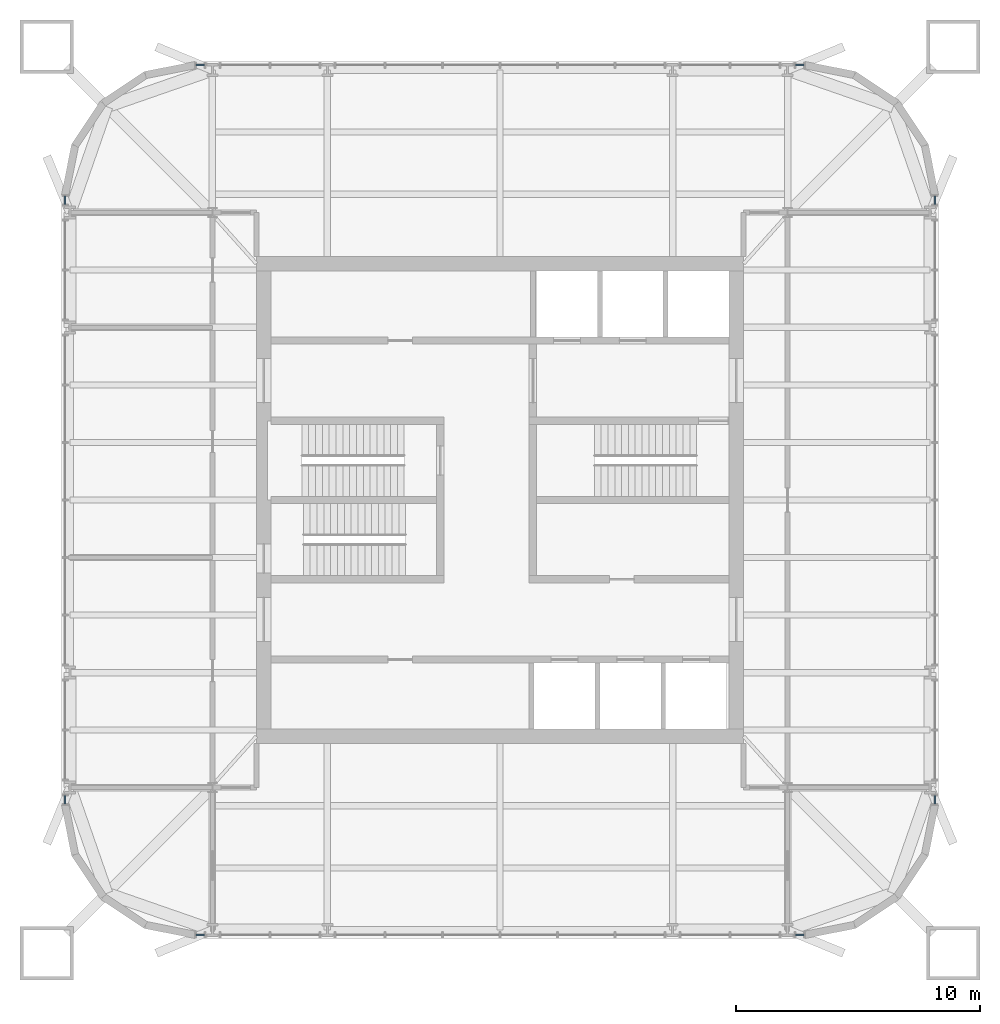
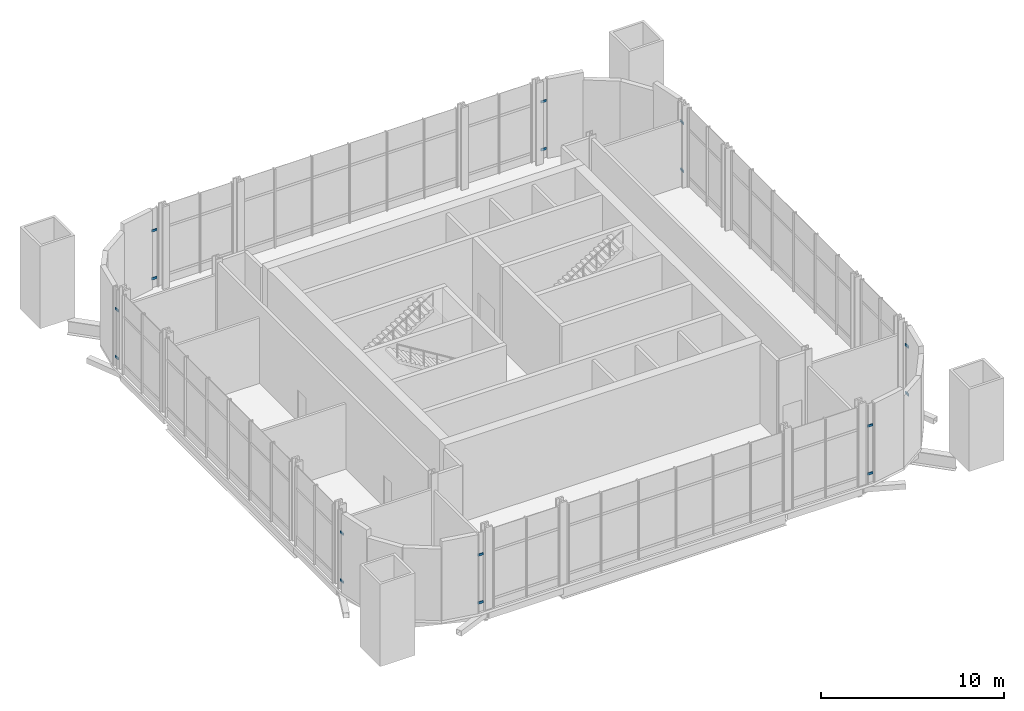
# One storey, part 7 of 17: 16 members, 8 elements without a shape of their own.
"""IFC4 building model written with IfcOpenShell, lengths in metres."""

import ifcopenshell
import ifcopenshell.guid

model = None  # the IFC model being written
_history = None  # IfcOwnerHistory: only IFC2X3 demands one
_inside = {}  # id of a spatial element -> (the spatial element, [elements in it])
_under = {}  # id of a project, library or spatial element -> (it, [spatial elements below it])
_declared = {}  # id of a project -> (the project, [libraries it declares])
_typed = {}  # id of a type object -> (the type object, [elements of that type])
_made_of = {}  # id of a material, layer set ... -> (it, [elements and type objects made of it])


def new_model(schema):
    """Start an empty IFC model of exactly this schema.

    Asked for "IFC4X3", IfcOpenShell would pick the latest addendum, in which some entities
    have other attributes; the version numbers below select the first issue.
    IFC2X3 requires an IfcOwnerHistory on every rooted entity: one is made here for all.
    """
    global model, _history
    if schema == "IFC4X3":
        model = ifcopenshell.file(schema_version=(4, 3, 0, 0))
    else:
        model = ifcopenshell.file(schema=schema)
    _inside.clear()
    _under.clear()
    _declared.clear()
    _typed.clear()
    _made_of.clear()
    _history = None
    if model.schema == "IFC2X3":
        org = make("IfcOrganization", Name="unknown")
        user = make(
            "IfcPersonAndOrganization",
            ThePerson=make("IfcPerson", FamilyName="unknown"),
            TheOrganization=org,
        )
        app = make(
            "IfcApplication",
            ApplicationDeveloper=org,
            Version="unknown",
            ApplicationFullName="unknown",
            ApplicationIdentifier="unknown",
        )
        _history = make(
            "IfcOwnerHistory",
            OwningUser=user,
            OwningApplication=app,
            ChangeAction="ADDED",
            CreationDate=0,
        )
    return model


def make(cls, **values):
    """One entity of the class cls with the attributes given. An attribute that is None is left unset."""
    return model.create_entity(
        cls, **{name: value for name, value in values.items() if value is not None}
    )


def rooted(cls, **values):
    """An entity with a GlobalId (a new one), such as an element, a storey or a relation."""
    return make(cls, GlobalId=ifcopenshell.guid.new(), OwnerHistory=_history, **values)


def si_unit(unit_type, name, prefix=None):
    """IfcSIUnit, for example si_unit("LENGTHUNIT", "METRE", prefix="MILLI")."""
    return make("IfcSIUnit", UnitType=unit_type, Prefix=prefix, Name=name)


def assignment(units):
    """IfcUnitAssignment: the units of a project."""
    return None if units is None else make("IfcUnitAssignment", Units=units)


def point(xyz):
    """IfcCartesianPoint."""
    return None if xyz is None else make("IfcCartesianPoint", Coordinates=xyz)


def direction(xyz):
    """IfcDirection."""
    return None if xyz is None else make("IfcDirection", DirectionRatios=xyz)


def frame(location, z_axis=None, x_axis=None):
    """IfcAxis2Placement3D, a coordinate frame: its origin and axes. An axis left out is left unset."""
    return make(
        "IfcAxis2Placement3D",
        Location=point(location),
        Axis=direction(z_axis),
        RefDirection=direction(x_axis),
    )


def frame_2d(location, x_axis=None):
    """IfcAxis2Placement2D, a coordinate frame in the plane: its origin and x axis."""
    return make(
        "IfcAxis2Placement2D", Location=point(location), RefDirection=direction(x_axis)
    )


def origin():
    """The frame at (0, 0, 0) with its axes left unset."""
    return frame((0.0, 0.0, 0.0))


def origin_2d():
    """The frame at (0, 0) in the plane with its x axis left unset."""
    return frame_2d((0.0, 0.0))


def place(relative_to, where):
    """IfcLocalPlacement: puts the frame where relative to a parent placement (None: the world)."""
    return make(
        "IfcLocalPlacement", PlacementRelTo=relative_to, RelativePlacement=where
    )


def context(
    kind, dimensions, precision=None, world=None, true_north=None, identifier=None
):
    """IfcGeometricRepresentationContext, for example the 3D "Model" context."""
    return make(
        "IfcGeometricRepresentationContext",
        ContextIdentifier=identifier,
        ContextType=kind,
        CoordinateSpaceDimension=dimensions,
        Precision=precision,
        WorldCoordinateSystem=world,
        TrueNorth=true_north,
    )


def subcontext(parent, identifier, kind, view, scale=None):
    """IfcGeometricRepresentationSubContext, for example "Body" below "Model"."""
    return make(
        "IfcGeometricRepresentationSubContext",
        ContextIdentifier=identifier,
        ContextType=kind,
        ParentContext=parent,
        TargetScale=scale,
        TargetView=view,
    )


def project(units=None, contexts=None):
    """IfcProject with its units and contexts."""
    return rooted(
        "IfcProject",
        Name="project",
        RepresentationContexts=contexts,
        UnitsInContext=assignment(units),
    )


def spatial(cls, under=None, at=None, **own):
    """A site, building, storey or space (cls), placed at a placement, below another one or the project."""
    s = rooted(cls, ObjectPlacement=at, **own)
    if under is not None:
        _under.setdefault(under.id(), (under, []))[1].append(s)
    return s


def profile(cls, at=None, kind="AREA", **sizes):
    """A parametric profile (cls). Its sizes go by their IFC names, for example OverallWidth=200.0."""
    return make(cls, ProfileType=kind, Position=at, **sizes)


def rectangle(**sizes):
    """IfcRectangleProfileDef."""
    return profile("IfcRectangleProfileDef", **sizes)


def extrude(swept, where, along, depth):
    """IfcExtrudedAreaSolid: the profile swept, set in the frame where, extruded along a direction by depth."""
    return make(
        "IfcExtrudedAreaSolid",
        SweptArea=swept,
        Position=where,
        ExtrudedDirection=direction(along),
        Depth=depth,
    )


def shape(context_of_items, identifier, shape_type, items):
    """IfcShapeRepresentation: the items that make up one representation, for example the "Body"."""
    return make(
        "IfcShapeRepresentation",
        ContextOfItems=context_of_items,
        RepresentationIdentifier=identifier,
        RepresentationType=shape_type,
        Items=items,
    )


def material(Name=None, Category=None):
    """IfcMaterial."""
    return make("IfcMaterial", Name=Name, Category=Category)


def material_profile(
    of_material, cross_section, Name=None, Category=None, Priority=None
):
    """IfcMaterialProfile: a cross section and its material."""
    return make(
        "IfcMaterialProfile",
        Name=Name,
        Material=of_material,
        Profile=cross_section,
        Priority=Priority,
        Category=Category,
    )


def profile_set(profiles, Name=None, composite=None):
    """IfcMaterialProfileSet."""
    return make(
        "IfcMaterialProfileSet",
        Name=Name,
        MaterialProfiles=profiles,
        CompositeProfile=composite,
    )


def made_of(thing, what):
    """Note that an element or type object is made of a material, layer set ...; save() writes the relation."""
    if what is not None:
        _made_of.setdefault(what.id(), (what, []))[1].append(thing)
    return thing


def type_object(cls, material=None, **own):
    """A type object (cls), such as IfcWallType, which elements share."""
    return made_of(rooted(cls, **own), material)


def element(
    cls,
    number,
    at=None,
    inside=None,
    cuts=None,
    type_object=None,
    material=None,
    context=None,
    identifier="Body",
    shape_type=None,
    held_by="IfcProductDefinitionShape",
    body=None,
    shapes=None,
    **own,
):
    """One element of the class cls, such as IfcWall. Its Tag is "e" and its number.

    at: its placement. inside: the storey or other place that contains it. cuts: it is an
    opening in that element (IfcRelVoidsElement). A single representation is given by context,
    identifier, shape_type and body (its items); several are given by shapes. held_by: the class
    of the entity that holds the representations. save() writes the other relations.
    """
    e = rooted(cls, Tag="e%d" % number, ObjectPlacement=at, **own)
    if body is not None:
        shapes = [shape(context, identifier, shape_type, body)]
    if shapes is not None:
        e.Representation = make(held_by, Representations=shapes)
    if inside is not None:
        _inside.setdefault(inside.id(), (inside, []))[1].append(e)
    if cuts is not None:
        rooted(
            "IfcRelVoidsElement", RelatingBuildingElement=cuts, RelatedOpeningElement=e
        )
    if type_object is not None:
        _typed.setdefault(type_object.id(), (type_object, []))[1].append(e)
    return made_of(e, material)


def aggregate(whole, parts):
    """IfcRelAggregates: a whole, such as a stair, and the parts it consists of."""
    return rooted("IfcRelAggregates", RelatingObject=whole, RelatedObjects=parts)


def save(model, path):
    """Write the relations noted so far, then the file.

    IfcRelAggregates (storeys below a building ...), IfcRelContainedInSpatialStructure (elements
    in a storey), IfcRelDefinesByType, IfcRelAssociatesMaterial and IfcRelDeclares: one each for
    every whole, place, type object, material and project.
    """
    for whole, parts in _under.values():
        aggregate(whole, parts)
    for where, things in _inside.values():
        rooted(
            "IfcRelContainedInSpatialStructure",
            RelatedElements=things,
            RelatingStructure=where,
        )
    for kind, things in _typed.values():
        rooted("IfcRelDefinesByType", RelatedObjects=things, RelatingType=kind)
    for what, things in _made_of.values():
        rooted("IfcRelAssociatesMaterial", RelatedObjects=things, RelatingMaterial=what)
    for by, libraries in _declared.values():
        rooted("IfcRelDeclares", RelatingContext=by, RelatedDefinitions=libraries)
    model.write(path)


model = new_model("IFC4")

# Units and contexts
model_context = context("Model", 3, precision=1e-05, world=origin(), true_north=direction((0.0, 1.0)))
body_context = subcontext(model_context, "Body", "Model", "MODEL_VIEW")
ifc_project = project(units=[si_unit("LENGTHUNIT", "METRE"), si_unit("AREAUNIT", "SQUARE_METRE"), si_unit("VOLUMEUNIT", "CUBIC_METRE"), si_unit("PLANEANGLEUNIT", "RADIAN"), si_unit("MASSUNIT", "GRAM", prefix="KILO")], contexts=[model_context])

# Site, building, storey
site_placement = place(None, origin())
site = spatial("IfcSite", under=ifc_project, at=site_placement, CompositionType="ELEMENT")
building_placement = place(site_placement, origin())
building = spatial("IfcBuilding", under=site, at=building_placement, Name="Turquesa Mirador Hotel Tower", CompositionType="ELEMENT")
storey_placement = place(building_placement, frame((0.0, 0.0, 266.699951171875)))
storey = spatial("IfcBuildingStorey", under=building, at=storey_placement, Name="L72", CompositionType="ELEMENT", Elevation=266.699951171875)

# Curtain wall, members
ifc_material_1 = material(Name="Aluminium extrusion", Category="aluminium")
curtain_wall_type = type_object("IfcCurtainWallType", Name="CW-6 OBSERVATION CURTAIN WALL", PredefinedType="USERDEFINED", material=ifc_material_1)
curtain_wall_1_placement = place(storey_placement, origin())
curtain_wall_1 = element("IfcCurtainWall", 1, at=curtain_wall_1_placement, inside=storey, type_object=curtain_wall_type, Name="CW-6 OBSERVATION CURTAIN WALL L72", ObjectType="CURTAIN WALL", PredefinedType="USERDEFINED")
ifc_material_2 = material(Name="Aluminium extrusion", Category="aluminium")
ifc_material_profile = material_profile(ifc_material_2, rectangle(XDim=0.06494140625, YDim=0.14990234375, at=origin_2d()), Name="TRANSOM 65X150")
ifc_profile_set = profile_set([ifc_material_profile], Name="Aluminium extrusion")
member_type = type_object("IfcMemberType", Name="CW TRANSOM 65X150", PredefinedType="USERDEFINED", material=ifc_profile_set)
member_1_placement = place(storey_placement, frame((72.85009765625, 32.532470703125, 0.60009765625), z_axis=(0.0, 1.0, 0.0), x_axis=(-1.0, 0.0, 0.0)))
member_1 = element("IfcMember", 2, at=member_1_placement, type_object=member_type, Name="Transom", ObjectType="TRANSOM", PredefinedType="USERDEFINED", context=body_context, shape_type="SweptSolid", body=[
    extrude(rectangle(XDim=0.06494140625, YDim=0.14990234375, at=origin_2d()), origin(), (0.0, 0.0, 1.0), 0.335205078125),
])
member_2_placement = place(storey_placement, frame((72.85009765625, 32.532470703125, 3.800048828125), z_axis=(0.0, 1.0, 0.0), x_axis=(-1.0, 0.0, 0.0)))
member_2 = element("IfcMember", 3, at=member_2_placement, type_object=member_type, Name="Transom", ObjectType="TRANSOM", PredefinedType="USERDEFINED", context=body_context, shape_type="SweptSolid", body=[
    extrude(rectangle(XDim=0.06494140625, YDim=0.14990234375, at=origin_2d()), origin(), (0.0, 0.0, 1.0), 0.335205078125),
])
aggregate(curtain_wall_1, [member_1, member_2])

curtain_wall_2_placement = place(storey_placement, origin())
curtain_wall_2 = element("IfcCurtainWall", 4, at=curtain_wall_2_placement, inside=storey, type_object=curtain_wall_type, Name="CW-6 OBSERVATION CURTAIN WALL L72", ObjectType="CURTAIN WALL", PredefinedType="USERDEFINED")
member_3_placement = place(storey_placement, frame((72.85009765625, 57.13232421875, 0.60009765625), z_axis=(0.0, 1.0, 0.0), x_axis=(-1.0, 0.0, 0.0)))
member_3 = element("IfcMember", 5, at=member_3_placement, type_object=member_type, Name="Transom", ObjectType="TRANSOM", PredefinedType="USERDEFINED", context=body_context, shape_type="SweptSolid", body=[
    extrude(rectangle(XDim=0.06494140625, YDim=0.14990234375, at=origin_2d()), origin(), (0.0, 0.0, 1.0), 0.335205078125),
])
member_4_placement = place(storey_placement, frame((72.85009765625, 57.13232421875, 3.800048828125), z_axis=(0.0, 1.0, 0.0), x_axis=(-1.0, 0.0, 0.0)))
member_4 = element("IfcMember", 6, at=member_4_placement, type_object=member_type, Name="Transom", ObjectType="TRANSOM", PredefinedType="USERDEFINED", context=body_context, shape_type="SweptSolid", body=[
    extrude(rectangle(XDim=0.06494140625, YDim=0.14990234375, at=origin_2d()), origin(), (0.0, 0.0, 1.0), 0.335205078125),
])
aggregate(curtain_wall_2, [member_3, member_4])

curtain_wall_3_placement = place(storey_placement, origin())
curtain_wall_3 = element("IfcCurtainWall", 7, at=curtain_wall_3_placement, inside=storey, type_object=curtain_wall_type, Name="CW-6 OBSERVATION CURTAIN WALL L72", ObjectType="CURTAIN WALL", PredefinedType="USERDEFINED")
member_5_placement = place(storey_placement, frame((67.467529296875, 62.85009765625, 0.60009765625), z_axis=(-1.0, 0.0, 0.0), x_axis=(0.0, -1.0, 0.0)))
member_5 = element("IfcMember", 8, at=member_5_placement, type_object=member_type, Name="Transom", ObjectType="TRANSOM", PredefinedType="USERDEFINED", context=body_context, shape_type="SweptSolid", body=[
    extrude(rectangle(XDim=0.06494140625, YDim=0.14990234375, at=origin_2d()), origin(), (0.0, 0.0, 1.0), 0.335205078125),
])
member_6_placement = place(storey_placement, frame((67.467529296875, 62.85009765625, 3.800048828125), z_axis=(-1.0, 0.0, 0.0), x_axis=(0.0, -1.0, 0.0)))
member_6 = element("IfcMember", 9, at=member_6_placement, type_object=member_type, Name="Transom", ObjectType="TRANSOM", PredefinedType="USERDEFINED", context=body_context, shape_type="SweptSolid", body=[
    extrude(rectangle(XDim=0.06494140625, YDim=0.14990234375, at=origin_2d()), origin(), (0.0, 0.0, 1.0), 0.335205078125),
])
aggregate(curtain_wall_3, [member_5, member_6])

curtain_wall_4_placement = place(storey_placement, origin())
curtain_wall_4 = element("IfcCurtainWall", 10, at=curtain_wall_4_placement, inside=storey, type_object=curtain_wall_type, Name="CW-6 OBSERVATION CURTAIN WALL L72", ObjectType="CURTAIN WALL", PredefinedType="USERDEFINED")
member_7_placement = place(storey_placement, frame((42.86767578125, 62.85009765625, 0.60009765625), z_axis=(-1.0, 0.0, 0.0), x_axis=(0.0, -1.0, 0.0)))
member_7 = element("IfcMember", 11, at=member_7_placement, type_object=member_type, Name="Transom", ObjectType="TRANSOM", PredefinedType="USERDEFINED", context=body_context, shape_type="SweptSolid", body=[
    extrude(rectangle(XDim=0.06494140625, YDim=0.14990234375, at=origin_2d()), origin(), (0.0, 0.0, 1.0), 0.335205078125),
])
member_8_placement = place(storey_placement, frame((42.86767578125, 62.85009765625, 3.800048828125), z_axis=(-1.0, 0.0, 0.0), x_axis=(0.0, -1.0, 0.0)))
member_8 = element("IfcMember", 12, at=member_8_placement, type_object=member_type, Name="Transom", ObjectType="TRANSOM", PredefinedType="USERDEFINED", context=body_context, shape_type="SweptSolid", body=[
    extrude(rectangle(XDim=0.06494140625, YDim=0.14990234375, at=origin_2d()), origin(), (0.0, 0.0, 1.0), 0.335205078125),
])
aggregate(curtain_wall_4, [member_7, member_8])

curtain_wall_5_placement = place(storey_placement, origin())
curtain_wall_5 = element("IfcCurtainWall", 13, at=curtain_wall_5_placement, inside=storey, type_object=curtain_wall_type, Name="CW-6 OBSERVATION CURTAIN WALL L72", ObjectType="CURTAIN WALL", PredefinedType="USERDEFINED")
member_9_placement = place(storey_placement, frame((37.14990234375, 57.467529296875, 0.60009765625), z_axis=(0.0, -1.0, 0.0), x_axis=(1.0, 0.0, 0.0)))
member_9 = element("IfcMember", 14, at=member_9_placement, type_object=member_type, Name="Transom", ObjectType="TRANSOM", PredefinedType="USERDEFINED", context=body_context, shape_type="SweptSolid", body=[
    extrude(rectangle(XDim=0.06494140625, YDim=0.14990234375, at=origin_2d()), origin(), (0.0, 0.0, 1.0), 0.335205078125),
])
member_10_placement = place(storey_placement, frame((37.14990234375, 57.467529296875, 3.800048828125), z_axis=(0.0, -1.0, 0.0), x_axis=(1.0, 0.0, 0.0)))
member_10 = element("IfcMember", 15, at=member_10_placement, type_object=member_type, Name="Transom", ObjectType="TRANSOM", PredefinedType="USERDEFINED", context=body_context, shape_type="SweptSolid", body=[
    extrude(rectangle(XDim=0.06494140625, YDim=0.14990234375, at=origin_2d()), origin(), (0.0, 0.0, 1.0), 0.335205078125),
])
aggregate(curtain_wall_5, [member_9, member_10])

curtain_wall_6_placement = place(storey_placement, origin())
curtain_wall_6 = element("IfcCurtainWall", 16, at=curtain_wall_6_placement, inside=storey, type_object=curtain_wall_type, Name="CW-6 OBSERVATION CURTAIN WALL L72", ObjectType="CURTAIN WALL", PredefinedType="USERDEFINED")
member_11_placement = place(storey_placement, frame((37.14990234375, 32.86767578125, 0.60009765625), z_axis=(0.0, -1.0, 0.0), x_axis=(1.0, 0.0, 0.0)))
member_11 = element("IfcMember", 17, at=member_11_placement, type_object=member_type, Name="Transom", ObjectType="TRANSOM", PredefinedType="USERDEFINED", context=body_context, shape_type="SweptSolid", body=[
    extrude(rectangle(XDim=0.06494140625, YDim=0.14990234375, at=origin_2d()), origin(), (0.0, 0.0, 1.0), 0.335205078125),
])
member_12_placement = place(storey_placement, frame((37.14990234375, 32.86767578125, 3.800048828125), z_axis=(0.0, -1.0, 0.0), x_axis=(1.0, 0.0, 0.0)))
member_12 = element("IfcMember", 18, at=member_12_placement, type_object=member_type, Name="Transom", ObjectType="TRANSOM", PredefinedType="USERDEFINED", context=body_context, shape_type="SweptSolid", body=[
    extrude(rectangle(XDim=0.06494140625, YDim=0.14990234375, at=origin_2d()), origin(), (0.0, 0.0, 1.0), 0.335205078125),
])
aggregate(curtain_wall_6, [member_11, member_12])

curtain_wall_7_placement = place(storey_placement, origin())
curtain_wall_7 = element("IfcCurtainWall", 19, at=curtain_wall_7_placement, inside=storey, type_object=curtain_wall_type, Name="CW-6 OBSERVATION CURTAIN WALL L72", ObjectType="CURTAIN WALL", PredefinedType="USERDEFINED")
member_13_placement = place(storey_placement, frame((42.532470703125, 27.14990234375, 0.60009765625), z_axis=(1.0, 0.0, 0.0), x_axis=(0.0, 1.0, 0.0)))
member_13 = element("IfcMember", 20, at=member_13_placement, type_object=member_type, Name="Transom", ObjectType="TRANSOM", PredefinedType="USERDEFINED", context=body_context, shape_type="SweptSolid", body=[
    extrude(rectangle(XDim=0.06494140625, YDim=0.14990234375, at=origin_2d()), origin(), (0.0, 0.0, 1.0), 0.335205078125),
])
member_14_placement = place(storey_placement, frame((42.532470703125, 27.14990234375, 3.800048828125), z_axis=(1.0, 0.0, 0.0), x_axis=(0.0, 1.0, 0.0)))
member_14 = element("IfcMember", 21, at=member_14_placement, type_object=member_type, Name="Transom", ObjectType="TRANSOM", PredefinedType="USERDEFINED", context=body_context, shape_type="SweptSolid", body=[
    extrude(rectangle(XDim=0.06494140625, YDim=0.14990234375, at=origin_2d()), origin(), (0.0, 0.0, 1.0), 0.335205078125),
])
aggregate(curtain_wall_7, [member_13, member_14])

curtain_wall_8_placement = place(storey_placement, origin())
curtain_wall_8 = element("IfcCurtainWall", 22, at=curtain_wall_8_placement, inside=storey, type_object=curtain_wall_type, Name="CW-6 OBSERVATION CURTAIN WALL L72", ObjectType="CURTAIN WALL", PredefinedType="USERDEFINED")
member_15_placement = place(storey_placement, frame((67.13232421875, 27.14990234375, 0.60009765625), z_axis=(1.0, 0.0, 0.0), x_axis=(0.0, 1.0, 0.0)))
member_15 = element("IfcMember", 23, at=member_15_placement, type_object=member_type, Name="Transom", ObjectType="TRANSOM", PredefinedType="USERDEFINED", context=body_context, shape_type="SweptSolid", body=[
    extrude(rectangle(XDim=0.06494140625, YDim=0.14990234375, at=origin_2d()), origin(), (0.0, 0.0, 1.0), 0.335205078125),
])
member_16_placement = place(storey_placement, frame((67.13232421875, 27.14990234375, 3.800048828125), z_axis=(1.0, 0.0, 0.0), x_axis=(0.0, 1.0, 0.0)))
member_16 = element("IfcMember", 24, at=member_16_placement, type_object=member_type, Name="Transom", ObjectType="TRANSOM", PredefinedType="USERDEFINED", context=body_context, shape_type="SweptSolid", body=[
    extrude(rectangle(XDim=0.06494140625, YDim=0.14990234375, at=origin_2d()), origin(), (0.0, 0.0, 1.0), 0.335205078125),
])
aggregate(curtain_wall_8, [member_15, member_16])

save(model, "model.ifc")
